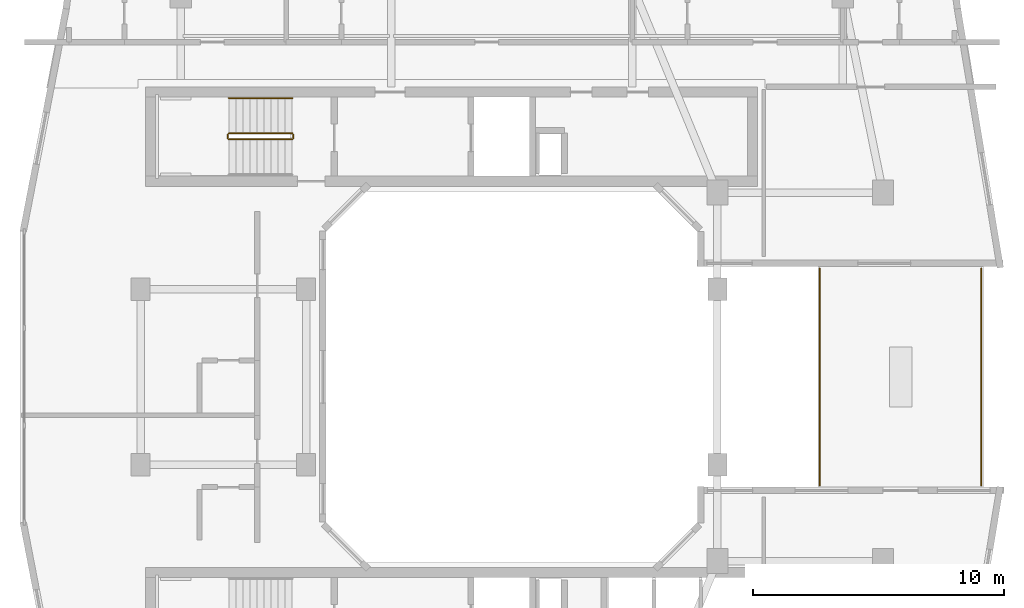
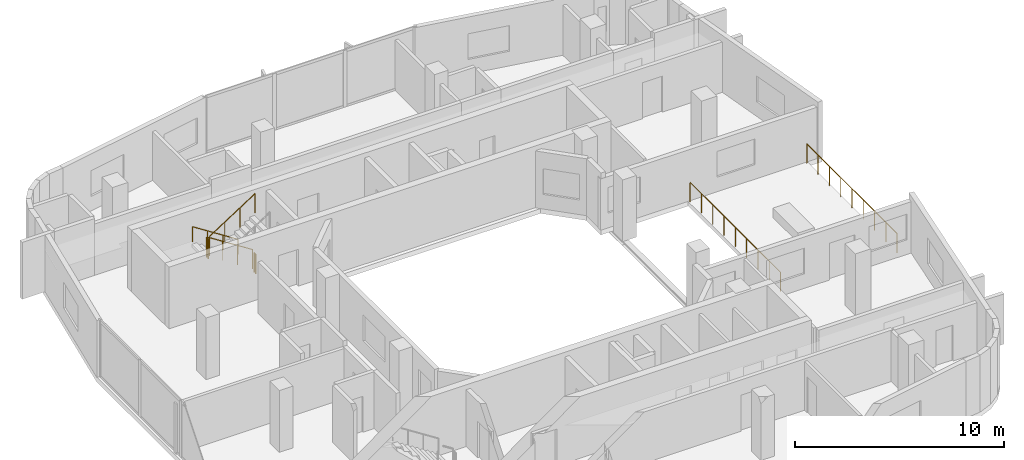
# One storey, part 11 of 12: 7 railings.
"""IFC4 building model written with IfcOpenShell, lengths in metres."""

from ifc_helpers import new_model, si_unit, derived_unit, direction, frame, origin, origin_2d, place, context, subcontext, project, spatial, circle, extrude, material, type_object, element, save


model = new_model("IFC4")

# Units and contexts
model_context = context("Model", 3, precision=1e-05, world=origin(), true_north=direction((0.0, 1.0)))
body_context = subcontext(model_context, "Body", "Model", "MODEL_VIEW")
ifc_project = project(units=[si_unit("LENGTHUNIT", "METRE"), si_unit("AREAUNIT", "SQUARE_METRE"), si_unit("VOLUMEUNIT", "CUBIC_METRE"), si_unit("PLANEANGLEUNIT", "RADIAN"), si_unit("MASSUNIT", "GRAM", prefix="KILO"), derived_unit("THERMALTRANSMITTANCEUNIT", [(si_unit("POWERUNIT", "WATT"), 1), (si_unit("LENGTHUNIT", "METRE"), -2), (si_unit("THERMODYNAMICTEMPERATUREUNIT", "KELVIN"), -1)])], contexts=[model_context])

# Site, building, storey
site_placement = place(None, origin())
site = spatial("IfcSite", under=ifc_project, at=site_placement, CompositionType="ELEMENT")
building_placement = place(site_placement, origin())
building = spatial("IfcBuilding", under=site, at=building_placement, Name="Kivonza Crest Hotel", CompositionType="ELEMENT")
storey_placement = place(building_placement, frame((0.0, 0.0, 177.5)))
storey = spatial("IfcBuildingStorey", under=building, at=storey_placement, Name="L48", CompositionType="ELEMENT", Elevation=177.5)

# Railings
ifc_material_1 = material(Name="Brushed stainless steel handrail", Category="steel")
railing_type_1 = type_object("IfcRailingType", Name="RL-HAND-900", PredefinedType="HANDRAIL", material=ifc_material_1)
railing_1_placement = place(storey_placement, frame((12.239990234375, 36.110107421875, 0.179931640625)))
element("IfcRailing", 1, at=railing_1_placement, inside=storey, type_object=railing_type_1, Name="L48 ST-T1-N stair handrail 1", PredefinedType="HANDRAIL", context=body_context, shape_type="SweptSolid", body=[
    extrude(circle(Radius=0.02392578125, at=origin_2d()), frame((0.0, 0.0, 0.8759765625), z_axis=(-0.841162588446, 0.0, 0.540782303519), x_axis=(0.0, -1.0, 0.0)), (0.0, 0.0, 1.0), 2.995849609375),
    extrude(circle(Radius=0.02099609375, at=origin_2d()), origin(), (0.0, 0.0, 1.0), 0.851806640625),
    extrude(circle(Radius=0.02099609375, at=origin_2d()), frame((-0.840087890625, 0.0, 0.5400390625)), (0.0, 0.0, 1.0), 0.851806640625),
    extrude(circle(Radius=0.02099609375, at=origin_2d()), frame((-1.679931640625, 0.0, 1.080078125)), (0.0, 0.0, 1.0), 0.851806640625),
    extrude(circle(Radius=0.02099609375, at=origin_2d()), frame((-2.52001953125, 0.0, 1.6201171875)), (0.0, 0.0, 1.0), 0.851806640625),
])
ifc_material_2 = material(Name="Painted steel balustrade", Category="steel")
railing_type_2 = type_object("IfcRailingType", Name="RL-STAIR-1150", PredefinedType="BALUSTRADE", material=ifc_material_2)
railing_2_placement = place(storey_placement, frame((12.239990234375, 34.7099609375, 0.179931640625)))
element("IfcRailing", 2, at=railing_2_placement, inside=storey, type_object=railing_type_2, Name="L48 ST-T1-N stair guard 1", PredefinedType="BALUSTRADE", context=body_context, shape_type="SweptSolid", body=[
    extrude(circle(Radius=0.02392578125, at=origin_2d()), frame((0.0, 0.0, 1.1259765625), z_axis=(-0.841162588446, 0.0, 0.540782303519), x_axis=(0.0, -1.0, 0.0)), (0.0, 0.0, 1.0), 2.995849609375),
    extrude(circle(Radius=0.02099609375, at=origin_2d()), origin(), (0.0, 0.0, 1.0), 1.101806640625),
    extrude(circle(Radius=0.02099609375, at=origin_2d()), frame((-0.840087890625, 0.0, 0.5400390625)), (0.0, 0.0, 1.0), 1.101806640625),
    extrude(circle(Radius=0.02099609375, at=origin_2d()), frame((-1.679931640625, 0.0, 1.080078125)), (0.0, 0.0, 1.0), 1.101806640625),
    extrude(circle(Radius=0.02099609375, at=origin_2d()), frame((-2.52001953125, 0.0, 1.6201171875)), (0.0, 0.0, 1.0), 1.101806640625),
])
railing_3_placement = place(storey_placement, frame((9.669921875, 34.659912109375, 1.800048828125)))
element("IfcRailing", 3, at=railing_3_placement, inside=storey, type_object=railing_type_2, Name="L48 ST-T1-N stair guard 2", PredefinedType="BALUSTRADE", context=body_context, shape_type="SweptSolid", body=[
    extrude(circle(Radius=0.02392578125, at=origin_2d()), frame((0.0, 0.0, 1.1259765625), z_axis=(0.0, -1.0, 0.0), x_axis=(1.0, 0.0, 0.0)), (0.0, 0.0, 1.0), 0.139892578125),
    extrude(circle(Radius=0.02099609375, at=origin_2d()), origin(), (0.0, 0.0, 1.0), 1.101806640625),
    extrude(circle(Radius=0.02099609375, at=origin_2d()), frame((0.0, -0.139892578125, 0.0)), (0.0, 0.0, 1.0), 1.101806640625),
])
railing_4_placement = place(storey_placement, frame((9.719970703125, 34.469970703125, 1.97998046875)))
element("IfcRailing", 4, at=railing_4_placement, inside=storey, type_object=railing_type_2, Name="L48 ST-T1-N stair guard 3", PredefinedType="BALUSTRADE", context=body_context, shape_type="SweptSolid", body=[
    extrude(circle(Radius=0.02392578125, at=origin_2d()), frame((0.0, 0.0, 1.1259765625), z_axis=(0.841162588446, 0.0, 0.540782303519), x_axis=(0.0, 1.0, 0.0)), (0.0, 0.0, 1.0), 2.995849609375),
    extrude(circle(Radius=0.02099609375, at=origin_2d()), origin(), (0.0, 0.0, 1.0), 1.101806640625),
    extrude(circle(Radius=0.02099609375, at=origin_2d()), frame((0.840087890625, 0.0, 0.5400390625)), (0.0, 0.0, 1.0), 1.101806640625),
    extrude(circle(Radius=0.02099609375, at=origin_2d()), frame((1.679931640625, 0.0, 1.080078125)), (0.0, 0.0, 1.0), 1.101806640625),
    extrude(circle(Radius=0.02099609375, at=origin_2d()), frame((2.52001953125, 0.0, 1.6201171875)), (0.0, 0.0, 1.0), 1.101806640625),
])
railing_5_placement = place(storey_placement, frame((12.2900390625, 34.659912109375, 0.0)))
element("IfcRailing", 5, at=railing_5_placement, inside=storey, type_object=railing_type_2, Name="L48 ST-T1-N stair guard 4", PredefinedType="BALUSTRADE", context=body_context, shape_type="SweptSolid", body=[
    extrude(circle(Radius=0.02392578125, at=origin_2d()), frame((0.0, 0.0, 1.1259765625), z_axis=(0.0, -1.0, 0.0), x_axis=(1.0, 0.0, 0.0)), (0.0, 0.0, 1.0), 0.139892578125),
    extrude(circle(Radius=0.02099609375, at=origin_2d()), origin(), (0.0, 0.0, 1.0), 1.101806640625),
    extrude(circle(Radius=0.02099609375, at=origin_2d()), frame((0.0, -0.139892578125, 0.0)), (0.0, 0.0, 1.0), 1.101806640625),
])
ifc_material_3 = material(Name="Laminated glass and stainless steel balustrade", Category="steel")
railing_type_3 = type_object("IfcRailingType", Name="RL-TERR-1150", PredefinedType="BALUSTRADE", material=ifc_material_3)
railing_6_placement = place(storey_placement, frame((33.280029296875, 20.679931640625, 0.0)))
element("IfcRailing", 6, at=railing_6_placement, inside=storey, type_object=railing_type_3, Name="L48 T1-L48-VP perimeter safety balustrade 1", PredefinedType="BALUSTRADE", context=body_context, shape_type="SweptSolid", body=[
    extrude(circle(Radius=0.02392578125, at=origin_2d()), frame((0.0, 0.0, 1.1259765625), z_axis=(0.0, 1.0, 0.0), x_axis=(-1.0, 0.0, 0.0)), (0.0, 0.0, 1.0), 8.64013671875),
    extrude(circle(Radius=0.02099609375, at=origin_2d()), origin(), (0.0, 0.0, 1.0), 1.101806640625),
    extrude(circle(Radius=0.02099609375, at=origin_2d()), frame((0.0, 1.080078125, 0.0)), (0.0, 0.0, 1.0), 1.101806640625),
    extrude(circle(Radius=0.02099609375, at=origin_2d()), frame((0.0, 2.16015625, 0.0)), (0.0, 0.0, 1.0), 1.101806640625),
    extrude(circle(Radius=0.02099609375, at=origin_2d()), frame((0.0, 3.239990234375, 0.0)), (0.0, 0.0, 1.0), 1.101806640625),
    extrude(circle(Radius=0.02099609375, at=origin_2d()), frame((0.0, 4.320068359375, 0.0)), (0.0, 0.0, 1.0), 1.101806640625),
    extrude(circle(Radius=0.02099609375, at=origin_2d()), frame((0.0, 5.400146484375, 0.0)), (0.0, 0.0, 1.0), 1.101806640625),
    extrude(circle(Radius=0.02099609375, at=origin_2d()), frame((0.0, 6.47998046875, 0.0)), (0.0, 0.0, 1.0), 1.101806640625),
    extrude(circle(Radius=0.02099609375, at=origin_2d()), frame((0.0, 7.56005859375, 0.0)), (0.0, 0.0, 1.0), 1.101806640625),
    extrude(circle(Radius=0.02099609375, at=origin_2d()), frame((0.0, 8.64013671875, 0.0)), (0.0, 0.0, 1.0), 1.101806640625),
])
railing_7_placement = place(storey_placement, frame((39.719970703125, 29.320068359375, 0.0)))
element("IfcRailing", 7, at=railing_7_placement, inside=storey, type_object=railing_type_3, Name="L48 T1-L48-VP perimeter safety balustrade 2", PredefinedType="BALUSTRADE", context=body_context, shape_type="SweptSolid", body=[
    extrude(circle(Radius=0.02392578125, at=origin_2d()), frame((0.0, 0.0, 1.1259765625), z_axis=(0.0, -1.0, 0.0), x_axis=(1.0, 0.0, 0.0)), (0.0, 0.0, 1.0), 8.64013671875),
    extrude(circle(Radius=0.02099609375, at=origin_2d()), origin(), (0.0, 0.0, 1.0), 1.101806640625),
    extrude(circle(Radius=0.02099609375, at=origin_2d()), frame((0.0, -1.080078125, 0.0)), (0.0, 0.0, 1.0), 1.101806640625),
    extrude(circle(Radius=0.02099609375, at=origin_2d()), frame((0.0, -2.16015625, 0.0)), (0.0, 0.0, 1.0), 1.101806640625),
    extrude(circle(Radius=0.02099609375, at=origin_2d()), frame((0.0, -3.239990234375, 0.0)), (0.0, 0.0, 1.0), 1.101806640625),
    extrude(circle(Radius=0.02099609375, at=origin_2d()), frame((0.0, -4.320068359375, 0.0)), (0.0, 0.0, 1.0), 1.101806640625),
    extrude(circle(Radius=0.02099609375, at=origin_2d()), frame((0.0, -5.400146484375, 0.0)), (0.0, 0.0, 1.0), 1.101806640625),
    extrude(circle(Radius=0.02099609375, at=origin_2d()), frame((0.0, -6.47998046875, 0.0)), (0.0, 0.0, 1.0), 1.101806640625),
    extrude(circle(Radius=0.02099609375, at=origin_2d()), frame((0.0, -7.56005859375, 0.0)), (0.0, 0.0, 1.0), 1.101806640625),
    extrude(circle(Radius=0.02099609375, at=origin_2d()), frame((0.0, -8.64013671875, 0.0)), (0.0, 0.0, 1.0), 1.101806640625),
])

save(model, "model.ifc")
